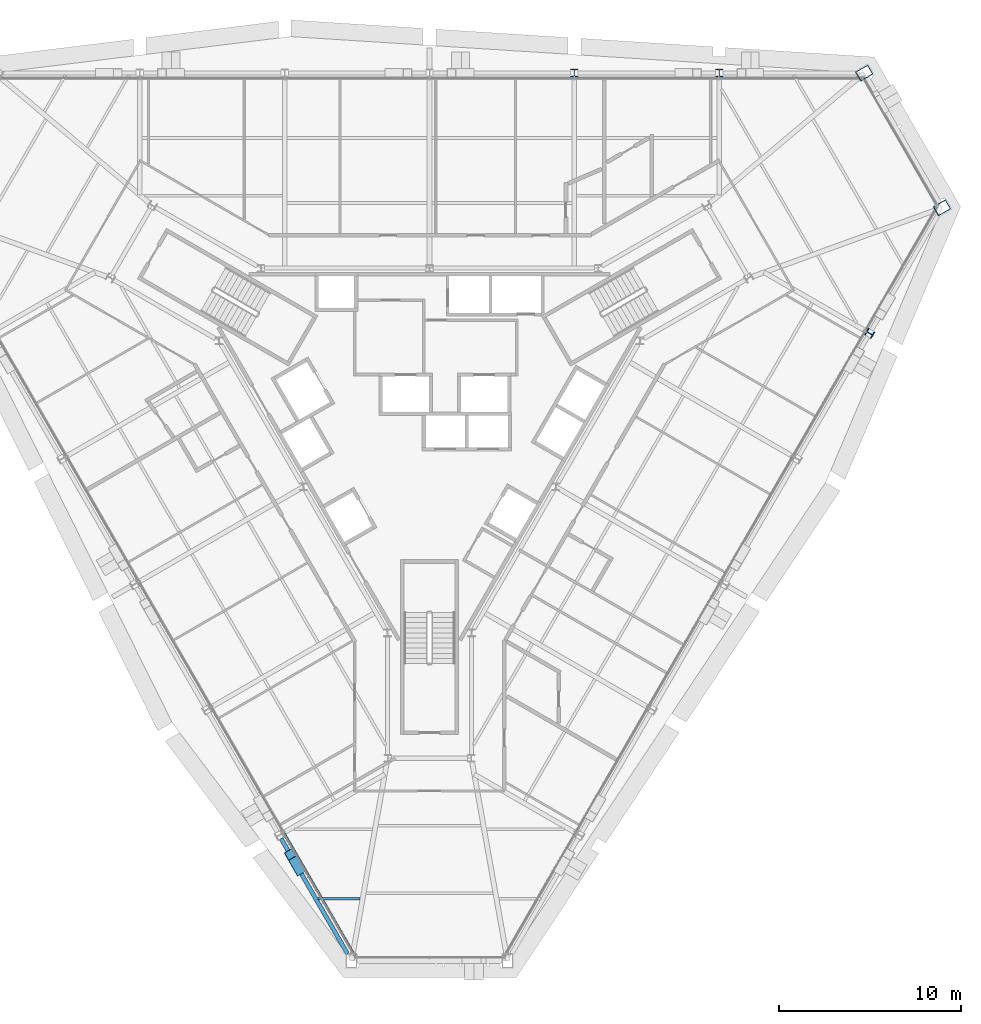
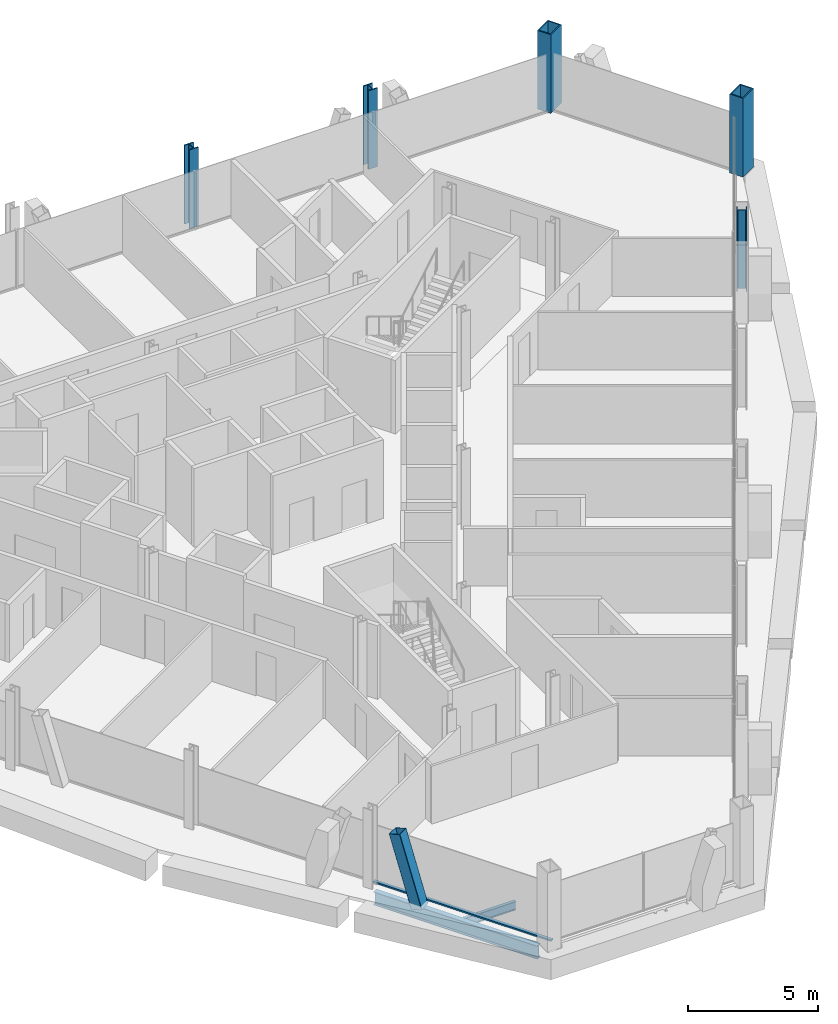
# One storey, part 2 of 14: 5 columns, 2 beams, 2 members, 1 element without a shape of its own.
"""IFC4 building model written with IfcOpenShell, lengths in metres."""

from ifc_helpers import new_model, si_unit, direction, frame, origin, origin_2d, place, context, subcontext, project, spatial, rectangle, hollow_rectangle, i_section, extrude, material, material_profile, profile_set, type_object, element, aggregate, save


model = new_model("IFC4")

# Units and contexts
model_context = context("Model", 3, precision=1e-05, world=origin(), true_north=direction((0.0, 1.0)))
body_context = subcontext(model_context, "Body", "Model", "MODEL_VIEW")
ifc_project = project(units=[si_unit("LENGTHUNIT", "METRE"), si_unit("AREAUNIT", "SQUARE_METRE"), si_unit("VOLUMEUNIT", "CUBIC_METRE"), si_unit("PLANEANGLEUNIT", "RADIAN"), si_unit("MASSUNIT", "GRAM", prefix="KILO")], contexts=[model_context])

# Site, building, storey
site_placement = place(None, origin())
site = spatial("IfcSite", under=ifc_project, at=site_placement, CompositionType="ELEMENT")
building_placement = place(site_placement, origin())
building = spatial("IfcBuilding", under=site, at=building_placement, Name="Verrane Prism Tower", CompositionType="ELEMENT")
storey_placement = place(building_placement, frame((0.0, 0.0, 193.199951171875)))
storey = spatial("IfcBuildingStorey", under=building, at=storey_placement, Name="L48", CompositionType="ELEMENT", Elevation=193.199951171875)

# Columns
ifc_material_1 = material(Name="Steel A572 Grade 50", Category="steel")
ifc_material_profile_1 = material_profile(ifc_material_1, hollow_rectangle(XDim=0.60009765625, YDim=0.800048828125, WallThickness=0.050048828125, at=origin_2d()), Name="BOX 800x600x50")
ifc_profile_set_1 = profile_set([ifc_material_profile_1], Name="Steel A572 Grade 50")
column_type_1 = type_object("IfcColumnType", Name="Megacolumn BOX 800x600x50", PredefinedType="COLUMN", material=ifc_profile_set_1)
for number, where, z_axis, x_axis, name in (
    (1, (23.860107421875, 18.7099609375, 0.0), (0.0, 0.0, 1.0), (0.5, -0.866025403784, 0.0), "Megacolumn MC-NE.b L48"),
    (2, (28.1298828125, 11.31005859375, 0.0), (0.0, 0.0, 1.0), (0.5, -0.866025403784, 0.0), "Megacolumn MC-NE.a L48"),
):
    element("IfcColumn", number, at=place(storey_placement, frame(where, z_axis=z_axis, x_axis=x_axis)), inside=storey, type_object=column_type_1, Name=name, PredefinedType="COLUMN", context=body_context, shape_type="SweptSolid", body=[
        extrude(hollow_rectangle(XDim=0.60009765625, YDim=0.800048828125, WallThickness=0.050048828125, at=origin_2d()), origin(), (0.0, 0.0, 1.0), 3.699951171875),
    ])
ifc_material_2 = material(Name="Steel A992", Category="steel")
ifc_material_profile_2 = material_profile(ifc_material_2, i_section(OverallWidth=0.406494140625, OverallDepth=0.41650390625, WebThickness=0.030029296875, FlangeThickness=0.048095703125, FilletRadius=0.01513671875, at=origin_2d()), Name="W14x257")
ifc_profile_set_2 = profile_set([ifc_material_profile_2], Name="Steel A992")
column_type_2 = type_object("IfcColumnType", Name="Perimeter column W14x257", PredefinedType="COLUMN", material=ifc_profile_set_2)
for number, where, z_axis, x_axis, name in (
    (3, (15.89990234375, 18.7099609375, 0.0), (0.0, 0.0, 1.0), (1.0, 0.0, 0.0), "Perimeter column PC-N1 L48"),
    (4, (7.949951171875, 18.7099609375, 0.0), (0.0, 0.0, 1.0), (1.0, 0.0, 0.0), "Perimeter column PC-N2 L48"),
    (5, (24.159912109375, 4.419921875, 0.0), (0.0, 0.0, 1.0), (-0.5, -0.866025403784, 0.0), "Perimeter column PC-SE5 L48"),
):
    element("IfcColumn", number, at=place(storey_placement, frame(where, z_axis=z_axis, x_axis=x_axis)), inside=storey, type_object=column_type_2, Name=name, PredefinedType="COLUMN", context=body_context, shape_type="SweptSolid", body=[
        extrude(i_section(OverallWidth=0.406494140625, OverallDepth=0.41650390625, WebThickness=0.030029296875, FlangeThickness=0.048095703125, FilletRadius=0.01513671875, at=origin_2d()), origin(), (0.0, 0.0, 1.0), 3.699951171875),
    ])

# Member
ifc_material_3 = material(Name="Steel A500 Grade C", Category="steel")
ifc_material_profile_3 = material_profile(ifc_material_3, hollow_rectangle(XDim=0.508056640625, YDim=0.508056640625, WallThickness=0.01904296875, InnerFilletRadius=0.009521484375, OuterFilletRadius=0.028564453125, at=origin_2d()), Name="HSS20x20x3/4")
ifc_profile_set_3 = profile_set([ifc_material_profile_3], Name="Steel A500 Grade C")
member_type_1 = type_object("IfcMemberType", Name="Facade brace HSS20x20x3/4", PredefinedType="BRACE", material=ifc_profile_set_3)
member_1_placement = place(storey_placement, frame((-7.154296875, -25.031494140625, -0.216552734375), z_axis=(-0.146560139655, 0.254271253751, 0.955963521783), x_axis=(-0.866384350975, -0.499377769215, 0.0)))
element("IfcMember", 6, at=member_1_placement, inside=storey, type_object=member_type_1, Name="Facade brace SW5 L48", PredefinedType="BRACE", context=body_context, shape_type="SweptSolid", body=[
    extrude(hollow_rectangle(XDim=0.508056640625, YDim=0.508056640625, WallThickness=0.01904296875, InnerFilletRadius=0.009521484375, OuterFilletRadius=0.028564453125, at=origin_2d()), origin(), (0.0, 0.0, 1.0), 3.34326171875),
])

# Beams
ifc_material_4 = material(Name="Steel A992", Category="steel")
ifc_material_profile_4 = material_profile(ifc_material_4, i_section(OverallWidth=0.140380859375, OverallDepth=0.40380859375, WebThickness=0.007080078125, FlangeThickness=0.01123046875, FilletRadius=0.01025390625, at=origin_2d()), Name="W16x31")
ifc_profile_set_4 = profile_set([ifc_material_profile_4], Name="Steel A992")
beam_type_1 = type_object("IfcBeamType", Name="Floor beam W16x31", PredefinedType="BEAM", material=ifc_profile_set_4)
beam_1_placement = place(storey_placement, frame((-6.113037109375, -26.603271484375, -0.36181640625), z_axis=(1.0, 0.0, 0.0), x_axis=(0.0, 1.0, 0.0)))
element("IfcBeam", 7, at=beam_1_placement, inside=storey, type_object=beam_type_1, Name="Floor beam L48", PredefinedType="BEAM", context=body_context, shape_type="SweptSolid", body=[
    extrude(i_section(OverallWidth=0.140380859375, OverallDepth=0.40380859375, WebThickness=0.007080078125, FlangeThickness=0.01123046875, FilletRadius=0.01025390625, at=origin_2d()), origin(), (0.0, 0.0, 1.0), 2.30419921875),
])
ifc_material_5 = material(Name="Steel A992", Category="steel")
ifc_material_profile_5 = material_profile(ifc_material_5, i_section(OverallWidth=0.23046875, OverallDepth=0.6171875, WebThickness=0.01318359375, FlangeThickness=0.022216796875, FilletRadius=0.012939453125, at=origin_2d()), Name="W24x94")
ifc_profile_set_5 = profile_set([ifc_material_profile_5], Name="Steel A992")
beam_type_2 = type_object("IfcBeamType", Name="Spandrel beam W24x94", PredefinedType="SPANDREL", material=ifc_profile_set_5)
beam_2_placement = place(storey_placement, frame((-8.148681640625, -23.30615234375, -0.468505859375), z_axis=(0.499260257978, -0.866452072999, 0.0), x_axis=(0.866452072999, 0.499260257978, 0.0)))
element("IfcBeam", 8, at=beam_2_placement, inside=storey, type_object=beam_type_2, Name="Spandrel beam L48", PredefinedType="SPANDREL", context=body_context, shape_type="SweptSolid", body=[
    extrude(i_section(OverallWidth=0.23046875, OverallDepth=0.6171875, WebThickness=0.01318359375, FlangeThickness=0.022216796875, FilletRadius=0.012939453125, at=origin_2d()), origin(), (0.0, 0.0, 1.0), 7.287109375),
])

# Curtain wall, member
ifc_material_6 = material(Name="Aluminium framed insulated glazing", Category="aluminium")
curtain_wall_type = type_object("IfcCurtainWallType", Name="Curtain wall CW-A 8400 module", PredefinedType="NOTDEFINED", material=ifc_material_6)
curtain_wall_placement = place(storey_placement, origin())
curtain_wall = element("IfcCurtainWall", 9, at=curtain_wall_placement, inside=storey, type_object=curtain_wall_type, Name="Glazed curtain wall south-west face L48", PredefinedType="NOTDEFINED")
ifc_material_7 = material(Name="Aluminium alloy 6063-T6", Category="aluminium")
ifc_material_profile_6 = material_profile(ifc_material_7, rectangle(XDim=0.14990234375, YDim=0.070068359375, at=origin_2d()), Name="Transom 70x150 aluminium")
ifc_profile_set_6 = profile_set([ifc_material_profile_6], Name="Aluminium alloy 6063-T6")
member_type_2 = type_object("IfcMemberType", Name="Transom 70x150 aluminium", PredefinedType="USERDEFINED", material=ifc_profile_set_6)
member_2_placement = place(storey_placement, frame((-8.006591796875, -22.994140625, 0.03515625), z_axis=(0.499980071345, -0.866036909293, 0.0), x_axis=(0.866036909293, 0.499980071345, 0.0)))
member_2 = element("IfcMember", 10, at=member_2_placement, type_object=member_type_2, Name="CW47.4 transom 6", ObjectType="TRANSOM", PredefinedType="USERDEFINED", context=body_context, shape_type="SweptSolid", body=[
    extrude(rectangle(XDim=0.14990234375, YDim=0.070068359375, at=origin_2d()), origin(), (0.0, 0.0, 1.0), 7.902587890625),
])
aggregate(curtain_wall, [member_2])

save(model, "model.ifc")
